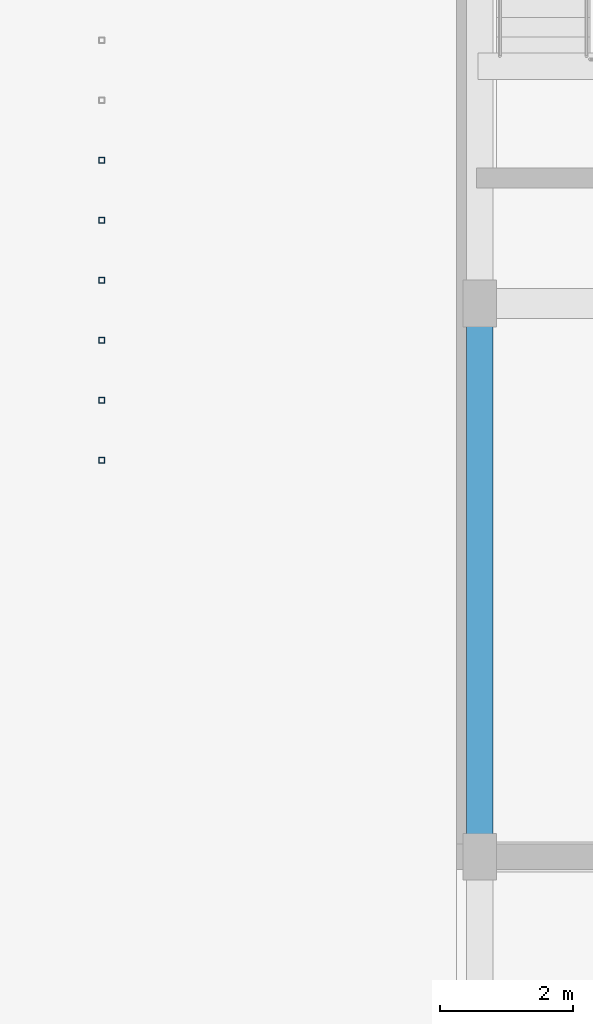
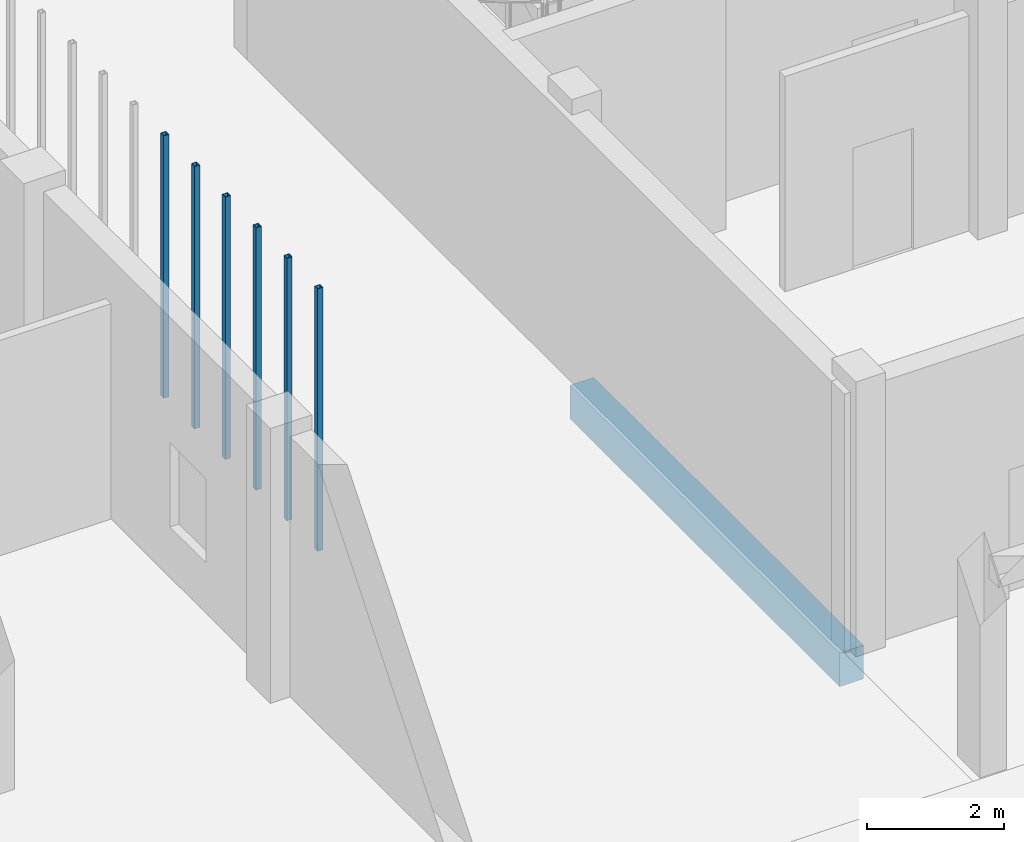
# One storey, part 4 of 85: 6 members, 1 beam.
"""IFC4 building model written with IfcOpenShell, lengths in metres."""

from ifc_helpers import new_model, si_unit, derived_unit, direction, frame, origin, origin_2d, place, context, subcontext, project, spatial, rectangle, hollow_rectangle, extrude, material, material_profile, profile_set, type_object, element, save


model = new_model("IFC4")

# Units and contexts
model_context = context("Model", 3, precision=1e-05, world=origin(), true_north=direction((0.0, 1.0)))
body_context = subcontext(model_context, "Body", "Model", "MODEL_VIEW")
ifc_project = project(units=[si_unit("LENGTHUNIT", "METRE"), si_unit("AREAUNIT", "SQUARE_METRE"), si_unit("VOLUMEUNIT", "CUBIC_METRE"), si_unit("PLANEANGLEUNIT", "RADIAN"), si_unit("MASSUNIT", "GRAM", prefix="KILO"), derived_unit("THERMALTRANSMITTANCEUNIT", [(si_unit("MASSUNIT", "GRAM", prefix="KILO"), 1), (si_unit("TIMEUNIT", "SECOND"), -3), (si_unit("THERMODYNAMICTEMPERATUREUNIT", "KELVIN"), -1)])], contexts=[model_context])

# Site, building, storey
site_placement = place(None, origin())
site = spatial("IfcSite", under=ifc_project, at=site_placement, CompositionType="ELEMENT")
building_placement = place(site_placement, origin())
building = spatial("IfcBuilding", under=site, at=building_placement, Name="Ochrekiln Boulevard Commons", CompositionType="ELEMENT")
storey_placement = place(building_placement, origin())
storey = spatial("IfcBuildingStorey", under=building, at=storey_placement, Name="L00", CompositionType="ELEMENT", Elevation=0.0)

# Beam
ifc_material_1 = material(Name="Concrete C35/45", Category="concrete")
ifc_material_profile_1 = material_profile(ifc_material_1, rectangle(XDim=0.39990234375, YDim=0.60009765625, at=origin_2d()), Name="RC-BM-400x600")
ifc_profile_set_1 = profile_set([ifc_material_profile_1], Name="Concrete C35/45")
beam_type = type_object("IfcBeamType", Name="BM-RC-400x600", PredefinedType="BEAM", material=ifc_profile_set_1)
beam_placement = place(storey_placement, frame((29.14990234375, 4.159912109375, -0.590087890625), z_axis=(0.0, 1.0, 0.0), x_axis=(-1.0, 0.0, 0.0)))
element("IfcBeam", 1, at=beam_placement, inside=storey, type_object=beam_type, Name="West Boulevard Shops and Arcade L00 Beam B-4060 Y18", PredefinedType="BEAM", context=body_context, shape_type="SweptSolid", body=[
    extrude(rectangle(XDim=0.39990234375, YDim=0.60009765625, at=origin_2d()), origin(), (0.0, 0.0, 1.0), 7.880126953125),
])

# Members
ifc_material_2 = material(Name="Steel A500 Grade C", Category="steel")
ifc_material_profile_2 = material_profile(ifc_material_2, hollow_rectangle(XDim=0.090087890625, YDim=0.090087890625, WallThickness=0.00634765625, at=origin_2d()), Name="HSS90X90X6.4")
ifc_profile_set_2 = profile_set([ifc_material_profile_2], Name="Steel A500 Grade C")
member_type = type_object("IfcMemberType", Name="MEM-PST-HSS90", PredefinedType="POST", material=ifc_profile_set_2)
for number, where, z_axis, x_axis, name in (
    (2, (23.47998046875, 9.89990234375, 0.0), (0.0, 0.0, 1.0), (1.0, 0.0, 0.0), "Block D L00 Slim Vertical Balcony Post (265)"),
    (3, (23.47998046875, 10.800048828125, 0.0), (0.0, 0.0, 1.0), (1.0, 0.0, 0.0), "Block D L00 Slim Vertical Balcony Post (266)"),
    (4, (23.47998046875, 11.699951171875, 0.0), (0.0, 0.0, 1.0), (1.0, 0.0, 0.0), "Block D L00 Slim Vertical Balcony Post (267)"),
    (5, (23.47998046875, 12.60009765625, 0.0), (0.0, 0.0, 1.0), (1.0, 0.0, 0.0), "Block D L00 Slim Vertical Balcony Post (268)"),
    (6, (23.47998046875, 13.5, 0.0), (0.0, 0.0, 1.0), (1.0, 0.0, 0.0), "Block D L00 Slim Vertical Balcony Post (269)"),
    (7, (23.47998046875, 14.39990234375, 0.0), (0.0, 0.0, 1.0), (1.0, 0.0, 0.0), "Block D L00 Slim Vertical Balcony Post (270)"),
):
    element("IfcMember", number, at=place(storey_placement, frame(where, z_axis=z_axis, x_axis=x_axis)), inside=storey, type_object=member_type, Name=name, PredefinedType="POST", context=body_context, shape_type="SweptSolid", body=[
        extrude(hollow_rectangle(XDim=0.090087890625, YDim=0.090087890625, WallThickness=0.00634765625, at=origin_2d()), origin(), (0.0, 0.0, 1.0), 4.679931640625),
    ])

save(model, "model.ifc")
